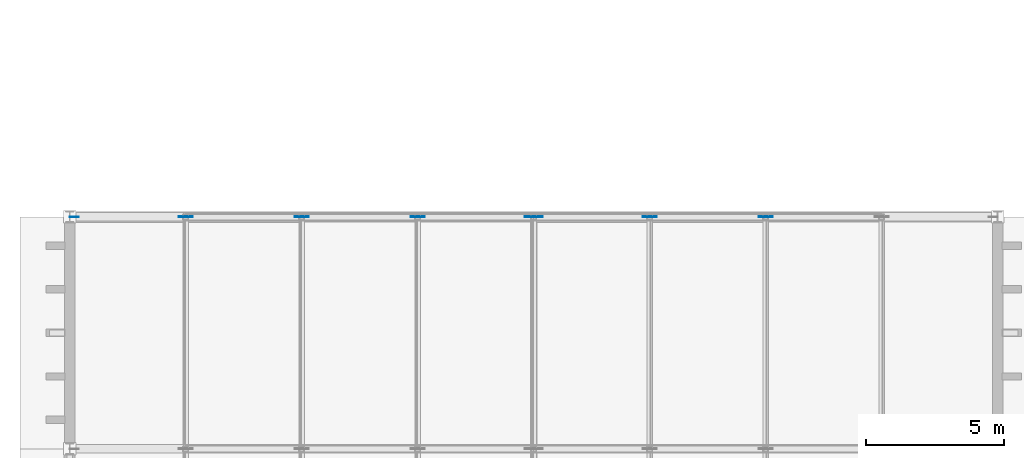
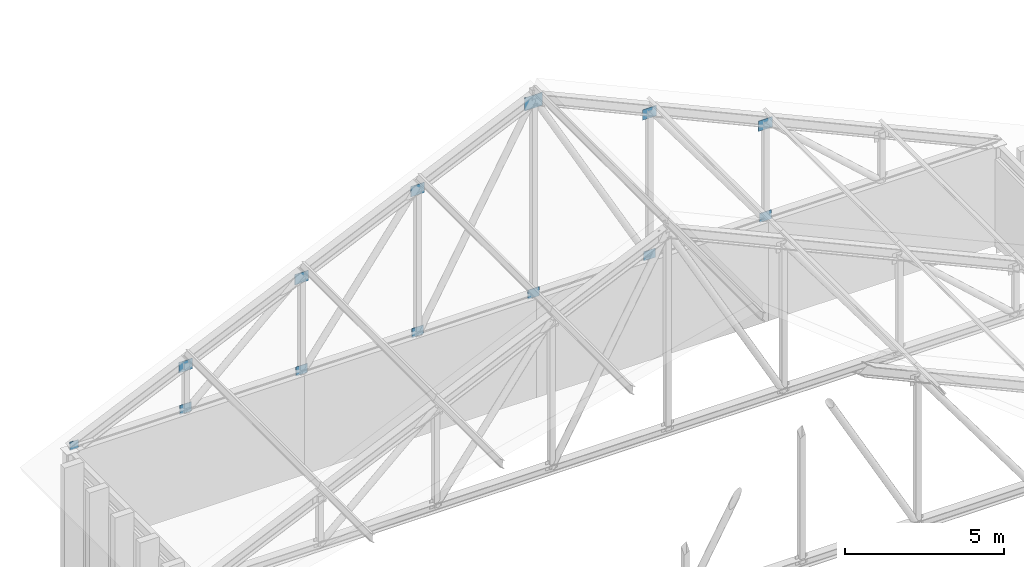
# One storey, part 72 of 110: 13 plates.
"""IFC4 building model written with IfcOpenShell, lengths in metres."""

import ifcopenshell
import ifcopenshell.guid

model = None  # the IFC model being written
_history = None  # IfcOwnerHistory: only IFC2X3 demands one
_inside = {}  # id of a spatial element -> (the spatial element, [elements in it])
_under = {}  # id of a project, library or spatial element -> (it, [spatial elements below it])
_declared = {}  # id of a project -> (the project, [libraries it declares])
_typed = {}  # id of a type object -> (the type object, [elements of that type])
_made_of = {}  # id of a material, layer set ... -> (it, [elements and type objects made of it])


def new_model(schema):
    """Start an empty IFC model of exactly this schema.

    Asked for "IFC4X3", IfcOpenShell would pick the latest addendum, in which some entities
    have other attributes; the version numbers below select the first issue.
    IFC2X3 requires an IfcOwnerHistory on every rooted entity: one is made here for all.
    """
    global model, _history
    if schema == "IFC4X3":
        model = ifcopenshell.file(schema_version=(4, 3, 0, 0))
    else:
        model = ifcopenshell.file(schema=schema)
    _inside.clear()
    _under.clear()
    _declared.clear()
    _typed.clear()
    _made_of.clear()
    _history = None
    if model.schema == "IFC2X3":
        org = make("IfcOrganization", Name="unknown")
        user = make(
            "IfcPersonAndOrganization",
            ThePerson=make("IfcPerson", FamilyName="unknown"),
            TheOrganization=org,
        )
        app = make(
            "IfcApplication",
            ApplicationDeveloper=org,
            Version="unknown",
            ApplicationFullName="unknown",
            ApplicationIdentifier="unknown",
        )
        _history = make(
            "IfcOwnerHistory",
            OwningUser=user,
            OwningApplication=app,
            ChangeAction="ADDED",
            CreationDate=0,
        )
    return model


def make(cls, **values):
    """One entity of the class cls with the attributes given. An attribute that is None is left unset."""
    return model.create_entity(
        cls, **{name: value for name, value in values.items() if value is not None}
    )


def rooted(cls, **values):
    """An entity with a GlobalId (a new one), such as an element, a storey or a relation."""
    return make(cls, GlobalId=ifcopenshell.guid.new(), OwnerHistory=_history, **values)


def si_unit(unit_type, name, prefix=None):
    """IfcSIUnit, for example si_unit("LENGTHUNIT", "METRE", prefix="MILLI")."""
    return make("IfcSIUnit", UnitType=unit_type, Prefix=prefix, Name=name)


def assignment(units):
    """IfcUnitAssignment: the units of a project."""
    return None if units is None else make("IfcUnitAssignment", Units=units)


def point(xyz):
    """IfcCartesianPoint."""
    return None if xyz is None else make("IfcCartesianPoint", Coordinates=xyz)


def direction(xyz):
    """IfcDirection."""
    return None if xyz is None else make("IfcDirection", DirectionRatios=xyz)


def frame(location, z_axis=None, x_axis=None):
    """IfcAxis2Placement3D, a coordinate frame: its origin and axes. An axis left out is left unset."""
    return make(
        "IfcAxis2Placement3D",
        Location=point(location),
        Axis=direction(z_axis),
        RefDirection=direction(x_axis),
    )


def frame_2d(location, x_axis=None):
    """IfcAxis2Placement2D, a coordinate frame in the plane: its origin and x axis."""
    return make(
        "IfcAxis2Placement2D", Location=point(location), RefDirection=direction(x_axis)
    )


def origin():
    """The frame at (0, 0, 0) with its axes left unset."""
    return frame((0.0, 0.0, 0.0))


def origin_2d():
    """The frame at (0, 0) in the plane with its x axis left unset."""
    return frame_2d((0.0, 0.0))


def place(relative_to, where):
    """IfcLocalPlacement: puts the frame where relative to a parent placement (None: the world)."""
    return make(
        "IfcLocalPlacement", PlacementRelTo=relative_to, RelativePlacement=where
    )


def context(
    kind, dimensions, precision=None, world=None, true_north=None, identifier=None
):
    """IfcGeometricRepresentationContext, for example the 3D "Model" context."""
    return make(
        "IfcGeometricRepresentationContext",
        ContextIdentifier=identifier,
        ContextType=kind,
        CoordinateSpaceDimension=dimensions,
        Precision=precision,
        WorldCoordinateSystem=world,
        TrueNorth=true_north,
    )


def subcontext(parent, identifier, kind, view, scale=None):
    """IfcGeometricRepresentationSubContext, for example "Body" below "Model"."""
    return make(
        "IfcGeometricRepresentationSubContext",
        ContextIdentifier=identifier,
        ContextType=kind,
        ParentContext=parent,
        TargetScale=scale,
        TargetView=view,
    )


def project(units=None, contexts=None):
    """IfcProject with its units and contexts."""
    return rooted(
        "IfcProject",
        Name="project",
        RepresentationContexts=contexts,
        UnitsInContext=assignment(units),
    )


def spatial(cls, under=None, at=None, **own):
    """A site, building, storey or space (cls), placed at a placement, below another one or the project."""
    s = rooted(cls, ObjectPlacement=at, **own)
    if under is not None:
        _under.setdefault(under.id(), (under, []))[1].append(s)
    return s


def profile(cls, at=None, kind="AREA", **sizes):
    """A parametric profile (cls). Its sizes go by their IFC names, for example OverallWidth=200.0."""
    return make(cls, ProfileType=kind, Position=at, **sizes)


def rectangle(**sizes):
    """IfcRectangleProfileDef."""
    return profile("IfcRectangleProfileDef", **sizes)


def extrude(swept, where, along, depth):
    """IfcExtrudedAreaSolid: the profile swept, set in the frame where, extruded along a direction by depth."""
    return make(
        "IfcExtrudedAreaSolid",
        SweptArea=swept,
        Position=where,
        ExtrudedDirection=direction(along),
        Depth=depth,
    )


def shape(context_of_items, identifier, shape_type, items):
    """IfcShapeRepresentation: the items that make up one representation, for example the "Body"."""
    return make(
        "IfcShapeRepresentation",
        ContextOfItems=context_of_items,
        RepresentationIdentifier=identifier,
        RepresentationType=shape_type,
        Items=items,
    )


def material(Name=None, Category=None):
    """IfcMaterial."""
    return make("IfcMaterial", Name=Name, Category=Category)


def layer(
    of_material, thickness, ventilated=None, Name=None, Category=None, Priority=None
):
    """IfcMaterialLayer: one layer of a wall or slab, of a material (None: an air gap)."""
    return make(
        "IfcMaterialLayer",
        Material=of_material,
        LayerThickness=thickness,
        IsVentilated=ventilated,
        Name=Name,
        Category=Category,
        Priority=Priority,
    )


def layer_set(layers, Name=None):
    """IfcMaterialLayerSet."""
    return make("IfcMaterialLayerSet", MaterialLayers=layers, LayerSetName=Name)


def made_of(thing, what):
    """Note that an element or type object is made of a material, layer set ...; save() writes the relation."""
    if what is not None:
        _made_of.setdefault(what.id(), (what, []))[1].append(thing)
    return thing


def type_object(cls, material=None, **own):
    """A type object (cls), such as IfcWallType, which elements share."""
    return made_of(rooted(cls, **own), material)


def element(
    cls,
    number,
    at=None,
    inside=None,
    cuts=None,
    type_object=None,
    material=None,
    context=None,
    identifier="Body",
    shape_type=None,
    held_by="IfcProductDefinitionShape",
    body=None,
    shapes=None,
    **own,
):
    """One element of the class cls, such as IfcWall. Its Tag is "e" and its number.

    at: its placement. inside: the storey or other place that contains it. cuts: it is an
    opening in that element (IfcRelVoidsElement). A single representation is given by context,
    identifier, shape_type and body (its items); several are given by shapes. held_by: the class
    of the entity that holds the representations. save() writes the other relations.
    """
    e = rooted(cls, Tag="e%d" % number, ObjectPlacement=at, **own)
    if body is not None:
        shapes = [shape(context, identifier, shape_type, body)]
    if shapes is not None:
        e.Representation = make(held_by, Representations=shapes)
    if inside is not None:
        _inside.setdefault(inside.id(), (inside, []))[1].append(e)
    if cuts is not None:
        rooted(
            "IfcRelVoidsElement", RelatingBuildingElement=cuts, RelatedOpeningElement=e
        )
    if type_object is not None:
        _typed.setdefault(type_object.id(), (type_object, []))[1].append(e)
    return made_of(e, material)


def aggregate(whole, parts):
    """IfcRelAggregates: a whole, such as a stair, and the parts it consists of."""
    return rooted("IfcRelAggregates", RelatingObject=whole, RelatedObjects=parts)


def save(model, path):
    """Write the relations noted so far, then the file.

    IfcRelAggregates (storeys below a building ...), IfcRelContainedInSpatialStructure (elements
    in a storey), IfcRelDefinesByType, IfcRelAssociatesMaterial and IfcRelDeclares: one each for
    every whole, place, type object, material and project.
    """
    for whole, parts in _under.values():
        aggregate(whole, parts)
    for where, things in _inside.values():
        rooted(
            "IfcRelContainedInSpatialStructure",
            RelatedElements=things,
            RelatingStructure=where,
        )
    for kind, things in _typed.values():
        rooted("IfcRelDefinesByType", RelatedObjects=things, RelatingType=kind)
    for what, things in _made_of.values():
        rooted("IfcRelAssociatesMaterial", RelatedObjects=things, RelatingMaterial=what)
    for by, libraries in _declared.values():
        rooted("IfcRelDeclares", RelatingContext=by, RelatedDefinitions=libraries)
    model.write(path)


model = new_model("IFC4")

# Units and contexts
model_context = context("Model", 3, precision=1e-05, world=origin(), true_north=direction((0.0, 1.0)))
body_context = subcontext(model_context, "Body", "Model", "MODEL_VIEW")
ifc_project = project(units=[si_unit("LENGTHUNIT", "METRE"), si_unit("AREAUNIT", "SQUARE_METRE"), si_unit("VOLUMEUNIT", "CUBIC_METRE"), si_unit("PLANEANGLEUNIT", "RADIAN"), si_unit("MASSUNIT", "GRAM", prefix="KILO")], contexts=[model_context])

# Site, building, storey
site_placement = place(None, origin())
site = spatial("IfcSite", under=ifc_project, at=site_placement, CompositionType="ELEMENT")
building_placement = place(site_placement, origin())
building = spatial("IfcBuilding", under=site, at=building_placement, Name="Kveldsbrygga Polytechnic", CompositionType="ELEMENT")
storey_placement = place(building_placement, frame((0.0, 0.0, 9.860107421875)))
storey = spatial("IfcBuildingStorey", under=building, at=storey_placement, Name="L02", CompositionType="ELEMENT", Elevation=9.860107421875)

# Plates
ifc_material = material(Name="Steel S355", Category="steel")
ifc_layer_1 = layer(ifc_material, 0.02490234375)
ifc_layer_set_1 = layer_set([ifc_layer_1], Name="Steel S355")
plate_type_1 = type_object("IfcPlateType", Name="GUS-APEX-650", PredefinedType="SHEET", material=ifc_layer_set_1)
plate_1_placement = place(storey_placement, frame((16.800048828125, 84.0, 10.97998046875), z_axis=(0.0, 0.0, 1.0), x_axis=(1.0, 0.0, 0.0)))
element("IfcPlate", 1, at=plate_1_placement, inside=storey, type_object=plate_type_1, Name="Truss Gusset Plate V1W-T08-GP-4", PredefinedType="SHEET", context=body_context, shape_type="SweptSolid", body=[
    extrude(rectangle(XDim=0.64990234375, YDim=0.02490234375, at=origin_2d()), origin(), (0.0, 0.0, 1.0), 0.5),
])
ifc_layer_2 = layer(ifc_material, 0.01806640625)
ifc_layer_set_2 = layer_set([ifc_layer_2], Name="Steel S355")
plate_type_2 = type_object("IfcPlateType", Name="GUS-BRACE-320", PredefinedType="SHEET", material=ifc_layer_set_2)
plate_2_placement = place(storey_placement, frame((0.159912109375, 84.0, 3.73974609375), z_axis=(0.0, 0.0, 1.0), x_axis=(1.0, 0.0, 0.0)))
element("IfcPlate", 2, at=plate_2_placement, inside=storey, type_object=plate_type_2, Name="Truss Eaves Node Gusset V1W-T08-EGP-A", PredefinedType="SHEET", context=body_context, shape_type="SweptSolid", body=[
    extrude(rectangle(XDim=0.320068359375, YDim=0.01806640625, at=origin_2d()), origin(), (0.0, 0.0, 1.0), 0.320068359375),
])
ifc_layer_3 = layer(ifc_material, 0.02001953125)
ifc_layer_set_3 = layer_set([ifc_layer_3], Name="Steel S355")
plate_type_3 = type_object("IfcPlateType", Name="GUS-LECT-420", PredefinedType="SHEET", material=ifc_layer_set_3)
for number, where, z_axis, x_axis, name in (
    (3, (4.199951171875, 84.0, 3.724853515625), (0.0, 0.0, 1.0), (1.0, 0.0, 0.0), "Truss Bottom-Chord Node Gusset V1W-T08-BGP-1"),
    (4, (8.39990234375, 84.0, 3.724853515625), (0.0, 0.0, 1.0), (1.0, 0.0, 0.0), "Truss Bottom-Chord Node Gusset V1W-T08-BGP-2"),
    (5, (12.60009765625, 84.0, 3.724853515625), (0.0, 0.0, 1.0), (1.0, 0.0, 0.0), "Truss Bottom-Chord Node Gusset V1W-T08-BGP-3"),
    (6, (16.800048828125, 84.0, 3.724853515625), (0.0, 0.0, 1.0), (1.0, 0.0, 0.0), "Truss Bottom-Chord Node Gusset V1W-T08-BGP-4"),
    (7, (21.0, 84.0, 3.724853515625), (0.0, 0.0, 1.0), (1.0, 0.0, 0.0), "Truss Bottom-Chord Node Gusset V1W-T08-BGP-5"),
    (8, (25.199951171875, 84.0, 3.724853515625), (0.0, 0.0, 1.0), (1.0, 0.0, 0.0), "Truss Bottom-Chord Node Gusset V1W-T08-BGP-6"),
):
    element("IfcPlate", number, at=place(storey_placement, frame(where, z_axis=z_axis, x_axis=x_axis)), inside=storey, type_object=plate_type_3, Name=name, PredefinedType="SHEET", context=body_context, shape_type="SweptSolid", body=[
        extrude(rectangle(XDim=0.419921875, YDim=0.02001953125, at=origin_2d()), origin(), (0.0, 0.0, 1.0), 0.35009765625),
    ])
ifc_layer_4 = layer(ifc_material, 0.02197265625)
ifc_layer_set_4 = layer_set([ifc_layer_4], Name="Steel S355")
plate_type_4 = type_object("IfcPlateType", Name="GUS-NODE-500", PredefinedType="SHEET", material=ifc_layer_set_4)
for number, where, z_axis, x_axis, name in (
    (9, (4.199951171875, 84.0, 5.329833984375), (0.0, 0.0, 1.0), (1.0, 0.0, 0.0), "Truss Gusset Plate V1W-T08-GP-1"),
    (10, (8.39990234375, 84.0, 7.22998046875), (0.0, 0.0, 1.0), (1.0, 0.0, 0.0), "Truss Gusset Plate V1W-T08-GP-2"),
    (11, (12.60009765625, 84.0, 9.1298828125), (0.0, 0.0, 1.0), (1.0, 0.0, 0.0), "Truss Gusset Plate V1W-T08-GP-3"),
    (12, (21.0, 84.0, 9.1298828125), (0.0, 0.0, 1.0), (1.0, 0.0, 0.0), "Truss Gusset Plate V1W-T08-GP-5"),
    (13, (25.199951171875, 84.0, 7.22998046875), (0.0, 0.0, 1.0), (1.0, 0.0, 0.0), "Truss Gusset Plate V1W-T08-GP-6"),
):
    element("IfcPlate", number, at=place(storey_placement, frame(where, z_axis=z_axis, x_axis=x_axis)), inside=storey, type_object=plate_type_4, Name=name, PredefinedType="SHEET", context=body_context, shape_type="SweptSolid", body=[
        extrude(rectangle(XDim=0.5, YDim=0.02197265625, at=origin_2d()), origin(), (0.0, 0.0, 1.0), 0.39990234375),
    ])

save(model, "model.ifc")
